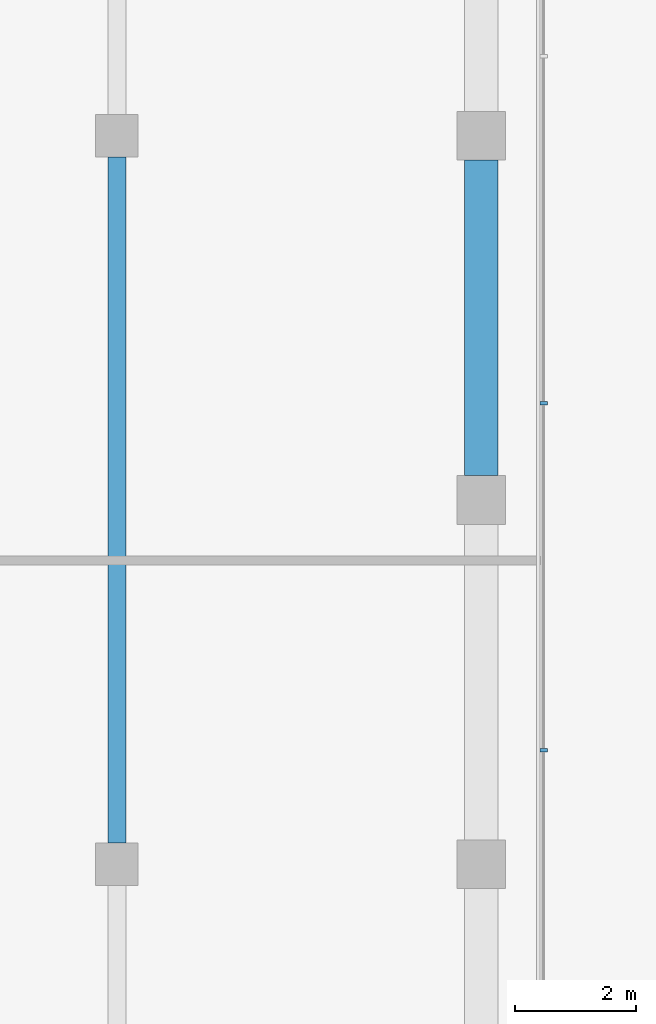
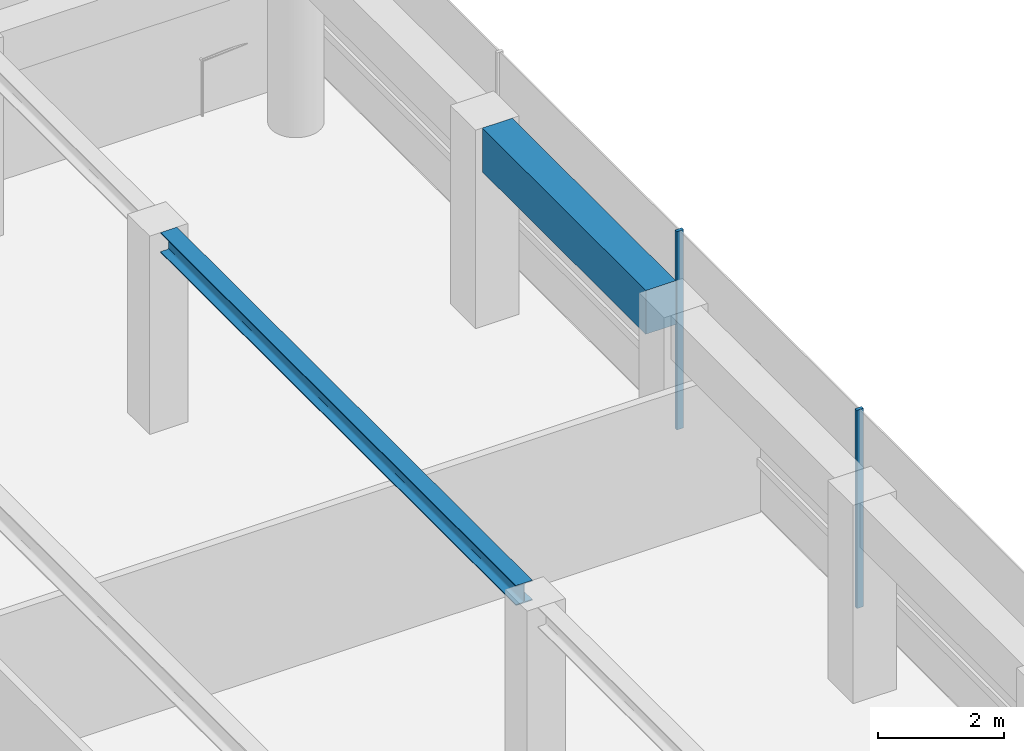
# One storey, part 14 of 21: 2 beams, 2 members, 1 element without a shape of its own.
"""IFC4 building model written with IfcOpenShell, lengths in metres."""

import ifcopenshell
import ifcopenshell.guid

model = None  # the IFC model being written
_history = None  # IfcOwnerHistory: only IFC2X3 demands one
_inside = {}  # id of a spatial element -> (the spatial element, [elements in it])
_under = {}  # id of a project, library or spatial element -> (it, [spatial elements below it])
_declared = {}  # id of a project -> (the project, [libraries it declares])
_typed = {}  # id of a type object -> (the type object, [elements of that type])
_made_of = {}  # id of a material, layer set ... -> (it, [elements and type objects made of it])


def new_model(schema):
    """Start an empty IFC model of exactly this schema.

    Asked for "IFC4X3", IfcOpenShell would pick the latest addendum, in which some entities
    have other attributes; the version numbers below select the first issue.
    IFC2X3 requires an IfcOwnerHistory on every rooted entity: one is made here for all.
    """
    global model, _history
    if schema == "IFC4X3":
        model = ifcopenshell.file(schema_version=(4, 3, 0, 0))
    else:
        model = ifcopenshell.file(schema=schema)
    _inside.clear()
    _under.clear()
    _declared.clear()
    _typed.clear()
    _made_of.clear()
    _history = None
    if model.schema == "IFC2X3":
        org = make("IfcOrganization", Name="unknown")
        user = make(
            "IfcPersonAndOrganization",
            ThePerson=make("IfcPerson", FamilyName="unknown"),
            TheOrganization=org,
        )
        app = make(
            "IfcApplication",
            ApplicationDeveloper=org,
            Version="unknown",
            ApplicationFullName="unknown",
            ApplicationIdentifier="unknown",
        )
        _history = make(
            "IfcOwnerHistory",
            OwningUser=user,
            OwningApplication=app,
            ChangeAction="ADDED",
            CreationDate=0,
        )
    return model


def make(cls, **values):
    """One entity of the class cls with the attributes given. An attribute that is None is left unset."""
    return model.create_entity(
        cls, **{name: value for name, value in values.items() if value is not None}
    )


def rooted(cls, **values):
    """An entity with a GlobalId (a new one), such as an element, a storey or a relation."""
    return make(cls, GlobalId=ifcopenshell.guid.new(), OwnerHistory=_history, **values)


def si_unit(unit_type, name, prefix=None):
    """IfcSIUnit, for example si_unit("LENGTHUNIT", "METRE", prefix="MILLI")."""
    return make("IfcSIUnit", UnitType=unit_type, Prefix=prefix, Name=name)


def assignment(units):
    """IfcUnitAssignment: the units of a project."""
    return None if units is None else make("IfcUnitAssignment", Units=units)


def point(xyz):
    """IfcCartesianPoint."""
    return None if xyz is None else make("IfcCartesianPoint", Coordinates=xyz)


def direction(xyz):
    """IfcDirection."""
    return None if xyz is None else make("IfcDirection", DirectionRatios=xyz)


def frame(location, z_axis=None, x_axis=None):
    """IfcAxis2Placement3D, a coordinate frame: its origin and axes. An axis left out is left unset."""
    return make(
        "IfcAxis2Placement3D",
        Location=point(location),
        Axis=direction(z_axis),
        RefDirection=direction(x_axis),
    )


def frame_2d(location, x_axis=None):
    """IfcAxis2Placement2D, a coordinate frame in the plane: its origin and x axis."""
    return make(
        "IfcAxis2Placement2D", Location=point(location), RefDirection=direction(x_axis)
    )


def origin():
    """The frame at (0, 0, 0) with its axes left unset."""
    return frame((0.0, 0.0, 0.0))


def origin_2d():
    """The frame at (0, 0) in the plane with its x axis left unset."""
    return frame_2d((0.0, 0.0))


def place(relative_to, where):
    """IfcLocalPlacement: puts the frame where relative to a parent placement (None: the world)."""
    return make(
        "IfcLocalPlacement", PlacementRelTo=relative_to, RelativePlacement=where
    )


def context(
    kind, dimensions, precision=None, world=None, true_north=None, identifier=None
):
    """IfcGeometricRepresentationContext, for example the 3D "Model" context."""
    return make(
        "IfcGeometricRepresentationContext",
        ContextIdentifier=identifier,
        ContextType=kind,
        CoordinateSpaceDimension=dimensions,
        Precision=precision,
        WorldCoordinateSystem=world,
        TrueNorth=true_north,
    )


def subcontext(parent, identifier, kind, view, scale=None):
    """IfcGeometricRepresentationSubContext, for example "Body" below "Model"."""
    return make(
        "IfcGeometricRepresentationSubContext",
        ContextIdentifier=identifier,
        ContextType=kind,
        ParentContext=parent,
        TargetScale=scale,
        TargetView=view,
    )


def project(units=None, contexts=None):
    """IfcProject with its units and contexts."""
    return rooted(
        "IfcProject",
        Name="project",
        RepresentationContexts=contexts,
        UnitsInContext=assignment(units),
    )


def spatial(cls, under=None, at=None, **own):
    """A site, building, storey or space (cls), placed at a placement, below another one or the project."""
    s = rooted(cls, ObjectPlacement=at, **own)
    if under is not None:
        _under.setdefault(under.id(), (under, []))[1].append(s)
    return s


def profile(cls, at=None, kind="AREA", **sizes):
    """A parametric profile (cls). Its sizes go by their IFC names, for example OverallWidth=200.0."""
    return make(cls, ProfileType=kind, Position=at, **sizes)


def rectangle(**sizes):
    """IfcRectangleProfileDef."""
    return profile("IfcRectangleProfileDef", **sizes)


def i_section(**sizes):
    """IfcIShapeProfileDef."""
    return profile("IfcIShapeProfileDef", **sizes)


def extrude(swept, where, along, depth):
    """IfcExtrudedAreaSolid: the profile swept, set in the frame where, extruded along a direction by depth."""
    return make(
        "IfcExtrudedAreaSolid",
        SweptArea=swept,
        Position=where,
        ExtrudedDirection=direction(along),
        Depth=depth,
    )


def shape(context_of_items, identifier, shape_type, items):
    """IfcShapeRepresentation: the items that make up one representation, for example the "Body"."""
    return make(
        "IfcShapeRepresentation",
        ContextOfItems=context_of_items,
        RepresentationIdentifier=identifier,
        RepresentationType=shape_type,
        Items=items,
    )


def material(Name=None, Category=None):
    """IfcMaterial."""
    return make("IfcMaterial", Name=Name, Category=Category)


def layer(
    of_material, thickness, ventilated=None, Name=None, Category=None, Priority=None
):
    """IfcMaterialLayer: one layer of a wall or slab, of a material (None: an air gap)."""
    return make(
        "IfcMaterialLayer",
        Material=of_material,
        LayerThickness=thickness,
        IsVentilated=ventilated,
        Name=Name,
        Category=Category,
        Priority=Priority,
    )


def layer_set(layers, Name=None):
    """IfcMaterialLayerSet."""
    return make("IfcMaterialLayerSet", MaterialLayers=layers, LayerSetName=Name)


def material_profile(
    of_material, cross_section, Name=None, Category=None, Priority=None
):
    """IfcMaterialProfile: a cross section and its material."""
    return make(
        "IfcMaterialProfile",
        Name=Name,
        Material=of_material,
        Profile=cross_section,
        Priority=Priority,
        Category=Category,
    )


def profile_set(profiles, Name=None, composite=None):
    """IfcMaterialProfileSet."""
    return make(
        "IfcMaterialProfileSet",
        Name=Name,
        MaterialProfiles=profiles,
        CompositeProfile=composite,
    )


def made_of(thing, what):
    """Note that an element or type object is made of a material, layer set ...; save() writes the relation."""
    if what is not None:
        _made_of.setdefault(what.id(), (what, []))[1].append(thing)
    return thing


def type_object(cls, material=None, **own):
    """A type object (cls), such as IfcWallType, which elements share."""
    return made_of(rooted(cls, **own), material)


def element(
    cls,
    number,
    at=None,
    inside=None,
    cuts=None,
    type_object=None,
    material=None,
    context=None,
    identifier="Body",
    shape_type=None,
    held_by="IfcProductDefinitionShape",
    body=None,
    shapes=None,
    **own,
):
    """One element of the class cls, such as IfcWall. Its Tag is "e" and its number.

    at: its placement. inside: the storey or other place that contains it. cuts: it is an
    opening in that element (IfcRelVoidsElement). A single representation is given by context,
    identifier, shape_type and body (its items); several are given by shapes. held_by: the class
    of the entity that holds the representations. save() writes the other relations.
    """
    e = rooted(cls, Tag="e%d" % number, ObjectPlacement=at, **own)
    if body is not None:
        shapes = [shape(context, identifier, shape_type, body)]
    if shapes is not None:
        e.Representation = make(held_by, Representations=shapes)
    if inside is not None:
        _inside.setdefault(inside.id(), (inside, []))[1].append(e)
    if cuts is not None:
        rooted(
            "IfcRelVoidsElement", RelatingBuildingElement=cuts, RelatedOpeningElement=e
        )
    if type_object is not None:
        _typed.setdefault(type_object.id(), (type_object, []))[1].append(e)
    return made_of(e, material)


def aggregate(whole, parts):
    """IfcRelAggregates: a whole, such as a stair, and the parts it consists of."""
    return rooted("IfcRelAggregates", RelatingObject=whole, RelatedObjects=parts)


def save(model, path):
    """Write the relations noted so far, then the file.

    IfcRelAggregates (storeys below a building ...), IfcRelContainedInSpatialStructure (elements
    in a storey), IfcRelDefinesByType, IfcRelAssociatesMaterial and IfcRelDeclares: one each for
    every whole, place, type object, material and project.
    """
    for whole, parts in _under.values():
        aggregate(whole, parts)
    for where, things in _inside.values():
        rooted(
            "IfcRelContainedInSpatialStructure",
            RelatedElements=things,
            RelatingStructure=where,
        )
    for kind, things in _typed.values():
        rooted("IfcRelDefinesByType", RelatedObjects=things, RelatingType=kind)
    for what, things in _made_of.values():
        rooted("IfcRelAssociatesMaterial", RelatedObjects=things, RelatingMaterial=what)
    for by, libraries in _declared.values():
        rooted("IfcRelDeclares", RelatingContext=by, RelatedDefinitions=libraries)
    model.write(path)


model = new_model("IFC4")

# Units and contexts
model_context = context("Model", 3, precision=1e-05, world=origin(), true_north=direction((0.0, 1.0)))
body_context = subcontext(model_context, "Body", "Model", "MODEL_VIEW")
ifc_project = project(units=[si_unit("LENGTHUNIT", "METRE"), si_unit("AREAUNIT", "SQUARE_METRE"), si_unit("VOLUMEUNIT", "CUBIC_METRE"), si_unit("PLANEANGLEUNIT", "RADIAN"), si_unit("MASSUNIT", "GRAM", prefix="KILO")], contexts=[model_context])

# Site, building, storey
site_placement = place(None, origin())
site = spatial("IfcSite", under=ifc_project, at=site_placement, CompositionType="ELEMENT")
building_placement = place(site_placement, origin())
building = spatial("IfcBuilding", under=site, at=building_placement, Name="Welwitschia Terrace Campus", CompositionType="ELEMENT")
storey_placement = place(building_placement, frame((0.0, 0.0, 213.800048828125)))
storey = spatial("IfcBuildingStorey", under=building, at=storey_placement, Name="L47", CompositionType="ELEMENT", Elevation=213.800048828125)

# Beam
ifc_material_1 = material(Name="Steel S355", Category="steel")
ifc_material_profile_1 = material_profile(ifc_material_1, i_section(OverallWidth=0.300048828125, OverallDepth=0.389892578125, WebThickness=0.010986328125, FlangeThickness=0.01904296875, FilletRadius=0.027099609375, at=origin_2d()))
ifc_profile_set_1 = profile_set([ifc_material_profile_1], Name="Steel S355")
beam_type_1 = type_object("IfcBeamType", Name="Interior girder HE 400 A", PredefinedType="BEAM", material=ifc_profile_set_1)
beam_1_placement = place(storey_placement, frame((18.0, 52.3505859375, 3.655029296875), z_axis=(0.0, 1.0, 0.0), x_axis=(-1.0, 0.0, 0.0)))
element("IfcBeam", 1, at=beam_1_placement, inside=storey, type_object=beam_type_1, Name="Girder GB5", PredefinedType="BEAM", context=body_context, shape_type="SweptSolid", body=[
    extrude(i_section(OverallWidth=0.300048828125, OverallDepth=0.389892578125, WebThickness=0.010986328125, FlangeThickness=0.01904296875, FilletRadius=0.027099609375, at=origin_2d()), origin(), (0.0, 0.0, 1.0), 11.298828125),
])

# Curtain wall, members
ifc_material_2 = material(Name="Bronze anodised aluminium", Category="aluminium")
ifc_layer = layer(ifc_material_2, 0.1201171875)
ifc_layer_set = layer_set([ifc_layer], Name="Bronze anodised aluminium")
curtain_wall_type = type_object("IfcCurtainWallType", Name="Curtain wall CW2 tower 6000", PredefinedType="NOTDEFINED", material=ifc_layer_set)
curtain_wall_placement = place(storey_placement, origin())
curtain_wall = element("IfcCurtainWall", 2, at=curtain_wall_placement, inside=storey, type_object=curtain_wall_type, Name="CW L47.6.0", PredefinedType="NOTDEFINED")
ifc_material_3 = material(Name="Bronze anodised aluminium", Category="aluminium")
ifc_material_profile_2 = material_profile(ifc_material_3, rectangle(XDim=0.1201171875, YDim=0.06005859375, at=origin_2d()))
ifc_profile_set_2 = profile_set([ifc_material_profile_2], Name="Bronze anodised aluminium")
member_type = type_object("IfcMemberType", Name="Mullion 60x120", PredefinedType="MULLION", material=ifc_profile_set_2)
member_1_placement = place(storey_placement, frame((25.030029296875, 53.8779296875, 0.0), z_axis=(0.0, 0.0, 1.0), x_axis=(-1.0, 0.0, 0.0)))
member_1 = element("IfcMember", 3, at=member_1_placement, type_object=member_type, Name="Mullion L47.6.0.3", PredefinedType="MULLION", context=body_context, shape_type="SweptSolid", body=[
    extrude(rectangle(XDim=0.1201171875, YDim=0.06005859375, at=origin_2d()), origin(), (0.0, 0.0, 1.0), 3.849853515625),
])
member_2_placement = place(storey_placement, frame((25.030029296875, 59.59521484375, 0.0), z_axis=(0.0, 0.0, 1.0), x_axis=(-1.0, 0.0, 0.0)))
member_2 = element("IfcMember", 4, at=member_2_placement, type_object=member_type, Name="Mullion L47.6.0.4", PredefinedType="MULLION", context=body_context, shape_type="SweptSolid", body=[
    extrude(rectangle(XDim=0.1201171875, YDim=0.06005859375, at=origin_2d()), origin(), (0.0, 0.0, 1.0), 3.849853515625),
])
aggregate(curtain_wall, [member_1, member_2])

# Beam
ifc_material_4 = material(Name="Concrete C50/60", Category="concrete")
ifc_material_profile_3 = material_profile(ifc_material_4, rectangle(XDim=0.550048828125, YDim=0.85009765625, at=origin_2d()))
ifc_profile_set_3 = profile_set([ifc_material_profile_3], Name="Concrete C50/60")
beam_type_2 = type_object("IfcBeamType", Name="Ring spandrel 550x850", PredefinedType="SPANDREL", material=ifc_profile_set_3)
beam_2_placement = place(storey_placement, frame((24.0, 58.400390625, 3.425048828125), z_axis=(0.0, 1.0, 0.0), x_axis=(-1.0, 0.0, 0.0)))
element("IfcBeam", 5, at=beam_2_placement, inside=storey, type_object=beam_type_2, Name="Spandrel SP3", PredefinedType="SPANDREL", context=body_context, shape_type="SweptSolid", body=[
    extrude(rectangle(XDim=0.550048828125, YDim=0.85009765625, at=origin_2d()), origin(), (0.0, 0.0, 1.0), 5.19921875),
])

save(model, "model.ifc")
